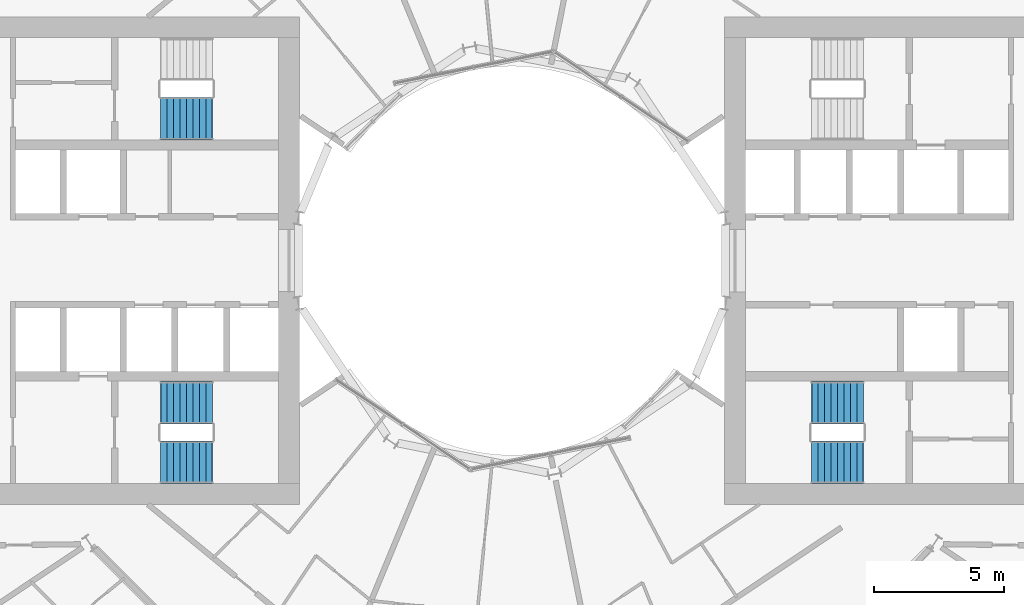
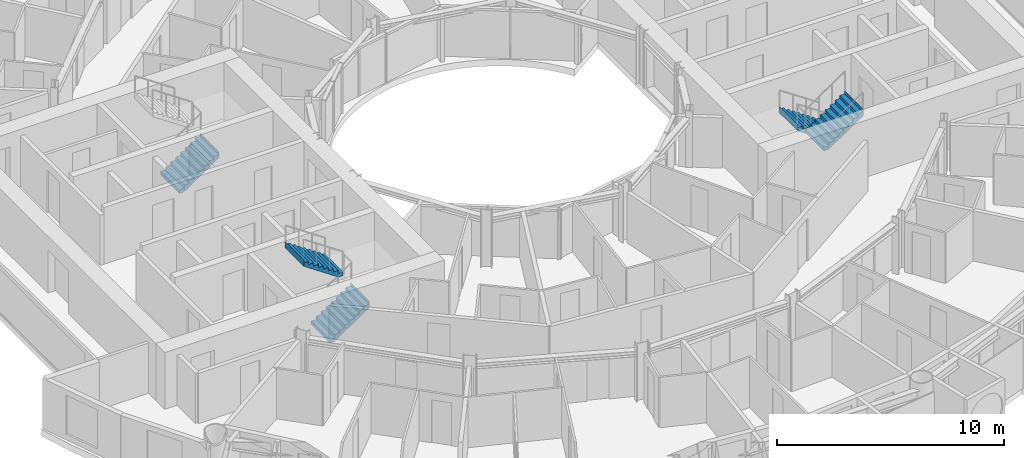
# One storey, part 23 of 26: 5 stair flights, 3 elements without a shape of their own.
"""IFC4 building model written with IfcOpenShell, lengths in metres."""

from ifc_helpers import new_model, si_unit, direction, frame, origin, place, context, subcontext, project, spatial, triangles, material, type_object, element, aggregate, save


model = new_model("IFC4")

# Units and contexts
model_context = context("Model", 3, precision=1e-05, world=origin(), true_north=direction((0.0, 1.0)))
body_context = subcontext(model_context, "Body", "Model", "MODEL_VIEW")
ifc_project = project(units=[si_unit("LENGTHUNIT", "METRE"), si_unit("AREAUNIT", "SQUARE_METRE"), si_unit("VOLUMEUNIT", "CUBIC_METRE"), si_unit("PLANEANGLEUNIT", "RADIAN"), si_unit("MASSUNIT", "GRAM", prefix="KILO")], contexts=[model_context])

# Site, building, storey
site_placement = place(None, origin())
site = spatial("IfcSite", under=ifc_project, at=site_placement, CompositionType="ELEMENT")
building_placement = place(site_placement, origin())
building = spatial("IfcBuilding", under=site, at=building_placement, Name="Maasbend Ring Residences", CompositionType="ELEMENT")
storey_placement = place(building_placement, frame((0.0, 0.0, 22.800048828125)))
storey = spatial("IfcBuildingStorey", under=building, at=storey_placement, Name="L05", CompositionType="ELEMENT", Elevation=22.800048828125)

# Stair, stair flights
ifc_material_1 = material(Name="Concrete C40/50", Category="concrete")
stair_type = type_object("IfcStairType", Name="CORE STAIR 18 RISERS", PredefinedType="HALF_TURN_STAIR", material=ifc_material_1)
stair_1_placement = place(storey_placement, origin())
stair_1 = element("IfcStair", 1, at=stair_1_placement, inside=storey, type_object=stair_type, Name="L05 Exit stair ST-E2", PredefinedType="HALF_TURN_STAIR")
ifc_material_2 = material(Name="Concrete C40/50", Category="concrete")
stair_flight_type = type_object("IfcStairFlightType", Name="CORE STAIR FLIGHT 1650", PredefinedType="STRAIGHT", material=ifc_material_2)
stair_flight_1_placement = place(storey_placement, frame((13.550048828125, -5.47509765625, 0.0), z_axis=(0.0, 0.0, 1.0), x_axis=(-1.0, 0.0, 0.0)))
stair_flight_1 = element("IfcStairFlight", 2, at=stair_flight_1_placement, type_object=stair_flight_type, Name="ST-E2 flight 1", NumberOfRisers=9, NumberOfTreads=8, PredefinedType="STRAIGHT", RiserHeight=0.169444444, TreadLength=0.25, context=body_context, shape_type="Tessellation", body=[
    triangles([(0.24072265625, 0.824951171875, -0.02001953125), (2.0029296875, 0.824951171875, 1.174560546875), (2.0029296875, 0.824951171875, 1.52490234375), (1.989990234375, 0.824951171875, 1.35546875), (1.75, 0.824951171875, 1.35546875), (1.75, 0.824951171875, 1.18603515625), (1.5, 0.824951171875, 1.18603515625), (1.5, 0.824951171875, 1.0166015625), (1.25, 0.824951171875, 1.0166015625), (1.25, 0.824951171875, 0.84716796875), (1.0, 0.824951171875, 0.84716796875), (1.0, 0.824951171875, 0.677734375), (0.75, 0.824951171875, 0.677734375), (0.75, 0.824951171875, 0.50830078125), (0.5, 0.824951171875, 0.50830078125), (0.5, 0.824951171875, 0.3388671875), (0.25, 0.824951171875, 0.3388671875), (0.25, 0.824951171875, 0.16943359375), (0.0, 0.824951171875, 0.16943359375), (0.0, 0.824951171875, 0.0), (-0.0029296875, 0.824951171875, 0.0), (-0.0029296875, 0.824951171875, -0.02001953125), (0.24072265625, 0.27490234375, -0.02001953125), (2.0029296875, 0.27490234375, 1.174560546875), (2.0029296875, 0.27490234375, 1.52490234375), (1.989990234375, 0.27490234375, 1.35546875), (1.75, 0.27490234375, 1.35546875), (1.75, 0.27490234375, 1.18603515625), (1.5, 0.27490234375, 1.18603515625), (1.5, 0.27490234375, 1.0166015625), (1.25, 0.27490234375, 1.0166015625), (1.25, 0.27490234375, 0.84716796875), (1.0, 0.27490234375, 0.84716796875), (1.0, 0.27490234375, 0.677734375), (0.75, 0.27490234375, 0.677734375), (0.75, 0.27490234375, 0.50830078125), (0.5, 0.27490234375, 0.50830078125), (0.5, 0.27490234375, 0.3388671875), (0.25, 0.27490234375, 0.3388671875), (0.25, 0.27490234375, 0.16943359375), (0.0, 0.27490234375, 0.16943359375), (0.0, 0.27490234375, 0.0), (-0.0029296875, 0.27490234375, 0.0), (-0.0029296875, 0.27490234375, -0.02001953125), (0.24072265625, -0.27490234375, -0.02001953125), (2.0029296875, -0.27490234375, 1.174560546875), (2.0029296875, -0.27490234375, 1.52490234375), (1.989990234375, -0.27490234375, 1.35546875), (1.75, -0.27490234375, 1.35546875), (1.75, -0.27490234375, 1.18603515625), (1.5, -0.27490234375, 1.18603515625), (1.5, -0.27490234375, 1.0166015625), (1.25, -0.27490234375, 1.0166015625), (1.25, -0.27490234375, 0.84716796875), (1.0, -0.27490234375, 0.84716796875), (1.0, -0.27490234375, 0.677734375), (0.75, -0.27490234375, 0.677734375), (0.75, -0.27490234375, 0.50830078125), (0.5, -0.27490234375, 0.50830078125), (0.5, -0.27490234375, 0.3388671875), (0.25, -0.27490234375, 0.3388671875), (0.25, -0.27490234375, 0.16943359375), (0.0, -0.27490234375, 0.16943359375), (0.0, -0.27490234375, 0.0), (-0.0029296875, -0.27490234375, 0.0), (-0.0029296875, -0.27490234375, -0.02001953125), (0.24072265625, -0.824951171875, -0.02001953125), (2.0029296875, -0.824951171875, 1.174560546875), (2.0029296875, -0.824951171875, 1.52490234375), (1.989990234375, -0.824951171875, 1.35546875), (1.75, -0.824951171875, 1.35546875), (1.75, -0.824951171875, 1.18603515625), (1.5, -0.824951171875, 1.18603515625), (1.5, -0.824951171875, 1.0166015625), (1.25, -0.824951171875, 1.0166015625), (1.25, -0.824951171875, 0.84716796875), (1.0, -0.824951171875, 0.84716796875), (1.0, -0.824951171875, 0.677734375), (0.75, -0.824951171875, 0.677734375), (0.75, -0.824951171875, 0.50830078125), (0.5, -0.824951171875, 0.50830078125), (0.5, -0.824951171875, 0.3388671875), (0.25, -0.824951171875, 0.3388671875), (0.25, -0.824951171875, 0.16943359375), (0.0, -0.824951171875, 0.16943359375), (0.0, -0.824951171875, 0.0), (-0.0029296875, -0.824951171875, 0.0), (-0.0029296875, -0.824951171875, -0.02001953125)], [[1, 2, 24], [1, 24, 23], [23, 24, 46], [23, 46, 45], [45, 46, 68], [45, 68, 67], [2, 3, 25], [2, 25, 24], [24, 25, 47], [24, 47, 46], [46, 47, 69], [46, 69, 68], [3, 4, 26], [3, 26, 25], [25, 26, 48], [25, 48, 47], [47, 48, 70], [47, 70, 69], [4, 5, 27], [4, 27, 26], [26, 27, 49], [26, 49, 48], [48, 49, 71], [48, 71, 70], [5, 6, 28], [5, 28, 27], [27, 28, 50], [27, 50, 49], [49, 50, 72], [49, 72, 71], [6, 7, 29], [6, 29, 28], [28, 29, 51], [28, 51, 50], [50, 51, 73], [50, 73, 72], [7, 8, 30], [7, 30, 29], [29, 30, 52], [29, 52, 51], [51, 52, 74], [51, 74, 73], [8, 9, 31], [8, 31, 30], [30, 31, 53], [30, 53, 52], [52, 53, 75], [52, 75, 74], [9, 10, 32], [9, 32, 31], [31, 32, 54], [31, 54, 53], [53, 54, 76], [53, 76, 75], [10, 11, 33], [10, 33, 32], [32, 33, 55], [32, 55, 54], [54, 55, 77], [54, 77, 76], [11, 12, 34], [11, 34, 33], [33, 34, 56], [33, 56, 55], [55, 56, 78], [55, 78, 77], [12, 13, 35], [12, 35, 34], [34, 35, 57], [34, 57, 56], [56, 57, 79], [56, 79, 78], [13, 14, 36], [13, 36, 35], [35, 36, 58], [35, 58, 57], [57, 58, 80], [57, 80, 79], [14, 15, 37], [14, 37, 36], [36, 37, 59], [36, 59, 58], [58, 59, 81], [58, 81, 80], [15, 16, 38], [15, 38, 37], [37, 38, 60], [37, 60, 59], [59, 60, 82], [59, 82, 81], [16, 17, 39], [16, 39, 38], [38, 39, 61], [38, 61, 60], [60, 61, 83], [60, 83, 82], [17, 18, 40], [17, 40, 39], [39, 40, 62], [39, 62, 61], [61, 62, 84], [61, 84, 83], [18, 19, 41], [18, 41, 40], [40, 41, 63], [40, 63, 62], [62, 63, 85], [62, 85, 84], [19, 20, 42], [19, 42, 41], [41, 42, 64], [41, 64, 63], [63, 64, 86], [63, 86, 85], [20, 21, 43], [20, 43, 42], [42, 43, 65], [42, 65, 64], [64, 65, 87], [64, 87, 86], [21, 22, 44], [21, 44, 43], [43, 44, 66], [43, 66, 65], [65, 66, 88], [65, 88, 87], [22, 1, 23], [22, 23, 44], [44, 23, 45], [44, 45, 66], [66, 45, 67], [66, 67, 88], [22, 2, 1], [2, 4, 3], [2, 5, 4], [2, 6, 5], [22, 6, 2], [6, 8, 7], [22, 8, 6], [8, 10, 9], [22, 10, 8], [10, 12, 11], [22, 12, 10], [12, 14, 13], [22, 14, 12], [14, 16, 15], [22, 16, 14], [16, 18, 17], [22, 18, 16], [18, 20, 19], [22, 20, 18], [20, 22, 21], [88, 67, 68], [68, 69, 70], [68, 70, 71], [68, 71, 72], [88, 68, 72], [72, 73, 74], [88, 72, 74], [74, 75, 76], [88, 74, 76], [76, 77, 78], [88, 76, 78], [78, 79, 80], [88, 78, 80], [80, 81, 82], [88, 80, 82], [82, 83, 84], [88, 82, 84], [84, 85, 86], [88, 84, 86], [86, 87, 88]], closed=True),
])
stair_flight_2_placement = place(storey_placement, frame((11.550048828125, -7.77490234375, 1.52490234375), z_axis=(0.0, 0.0, 1.0), x_axis=(1.0, 0.0, 0.0)))
stair_flight_2 = element("IfcStairFlight", 3, at=stair_flight_2_placement, type_object=stair_flight_type, Name="ST-E2 flight 2", NumberOfRisers=9, NumberOfTreads=8, PredefinedType="STRAIGHT", RiserHeight=0.169444444, TreadLength=0.25, context=body_context, shape_type="Tessellation", body=[
    triangles([(0.24072265625, 0.824951171875, -0.02001953125), (2.0029296875, 0.824951171875, 1.174560546875), (2.0029296875, 0.824951171875, 1.52490234375), (1.989990234375, 0.824951171875, 1.35546875), (1.75, 0.824951171875, 1.35546875), (1.75, 0.824951171875, 1.18603515625), (1.5, 0.824951171875, 1.18603515625), (1.5, 0.824951171875, 1.0166015625), (1.25, 0.824951171875, 1.0166015625), (1.25, 0.824951171875, 0.84716796875), (1.0, 0.824951171875, 0.84716796875), (1.0, 0.824951171875, 0.677734375), (0.75, 0.824951171875, 0.677734375), (0.75, 0.824951171875, 0.50830078125), (0.5, 0.824951171875, 0.50830078125), (0.5, 0.824951171875, 0.3388671875), (0.25, 0.824951171875, 0.3388671875), (0.25, 0.824951171875, 0.16943359375), (0.0, 0.824951171875, 0.16943359375), (0.0, 0.824951171875, 0.0), (-0.0029296875, 0.824951171875, 0.0), (-0.0029296875, 0.824951171875, -0.02001953125), (0.24072265625, 0.27490234375, -0.02001953125), (2.0029296875, 0.27490234375, 1.174560546875), (2.0029296875, 0.27490234375, 1.52490234375), (1.989990234375, 0.27490234375, 1.35546875), (1.75, 0.27490234375, 1.35546875), (1.75, 0.27490234375, 1.18603515625), (1.5, 0.27490234375, 1.18603515625), (1.5, 0.27490234375, 1.0166015625), (1.25, 0.27490234375, 1.0166015625), (1.25, 0.27490234375, 0.84716796875), (1.0, 0.27490234375, 0.84716796875), (1.0, 0.27490234375, 0.677734375), (0.75, 0.27490234375, 0.677734375), (0.75, 0.27490234375, 0.50830078125), (0.5, 0.27490234375, 0.50830078125), (0.5, 0.27490234375, 0.3388671875), (0.25, 0.27490234375, 0.3388671875), (0.25, 0.27490234375, 0.16943359375), (0.0, 0.27490234375, 0.16943359375), (0.0, 0.27490234375, 0.0), (-0.0029296875, 0.27490234375, 0.0), (-0.0029296875, 0.27490234375, -0.02001953125), (0.24072265625, -0.27490234375, -0.02001953125), (2.0029296875, -0.27490234375, 1.174560546875), (2.0029296875, -0.27490234375, 1.52490234375), (1.989990234375, -0.27490234375, 1.35546875), (1.75, -0.27490234375, 1.35546875), (1.75, -0.27490234375, 1.18603515625), (1.5, -0.27490234375, 1.18603515625), (1.5, -0.27490234375, 1.0166015625), (1.25, -0.27490234375, 1.0166015625), (1.25, -0.27490234375, 0.84716796875), (1.0, -0.27490234375, 0.84716796875), (1.0, -0.27490234375, 0.677734375), (0.75, -0.27490234375, 0.677734375), (0.75, -0.27490234375, 0.50830078125), (0.5, -0.27490234375, 0.50830078125), (0.5, -0.27490234375, 0.3388671875), (0.25, -0.27490234375, 0.3388671875), (0.25, -0.27490234375, 0.16943359375), (0.0, -0.27490234375, 0.16943359375), (0.0, -0.27490234375, 0.0), (-0.0029296875, -0.27490234375, 0.0), (-0.0029296875, -0.27490234375, -0.02001953125), (0.24072265625, -0.824951171875, -0.02001953125), (2.0029296875, -0.824951171875, 1.174560546875), (2.0029296875, -0.824951171875, 1.52490234375), (1.989990234375, -0.824951171875, 1.35546875), (1.75, -0.824951171875, 1.35546875), (1.75, -0.824951171875, 1.18603515625), (1.5, -0.824951171875, 1.18603515625), (1.5, -0.824951171875, 1.0166015625), (1.25, -0.824951171875, 1.0166015625), (1.25, -0.824951171875, 0.84716796875), (1.0, -0.824951171875, 0.84716796875), (1.0, -0.824951171875, 0.677734375), (0.75, -0.824951171875, 0.677734375), (0.75, -0.824951171875, 0.50830078125), (0.5, -0.824951171875, 0.50830078125), (0.5, -0.824951171875, 0.3388671875), (0.25, -0.824951171875, 0.3388671875), (0.25, -0.824951171875, 0.16943359375), (0.0, -0.824951171875, 0.16943359375), (0.0, -0.824951171875, 0.0), (-0.0029296875, -0.824951171875, 0.0), (-0.0029296875, -0.824951171875, -0.02001953125)], [[1, 2, 24], [1, 24, 23], [23, 24, 46], [23, 46, 45], [45, 46, 68], [45, 68, 67], [2, 3, 25], [2, 25, 24], [24, 25, 47], [24, 47, 46], [46, 47, 69], [46, 69, 68], [3, 4, 26], [3, 26, 25], [25, 26, 48], [25, 48, 47], [47, 48, 70], [47, 70, 69], [4, 5, 27], [4, 27, 26], [26, 27, 49], [26, 49, 48], [48, 49, 71], [48, 71, 70], [5, 6, 28], [5, 28, 27], [27, 28, 50], [27, 50, 49], [49, 50, 72], [49, 72, 71], [6, 7, 29], [6, 29, 28], [28, 29, 51], [28, 51, 50], [50, 51, 73], [50, 73, 72], [7, 8, 30], [7, 30, 29], [29, 30, 52], [29, 52, 51], [51, 52, 74], [51, 74, 73], [8, 9, 31], [8, 31, 30], [30, 31, 53], [30, 53, 52], [52, 53, 75], [52, 75, 74], [9, 10, 32], [9, 32, 31], [31, 32, 54], [31, 54, 53], [53, 54, 76], [53, 76, 75], [10, 11, 33], [10, 33, 32], [32, 33, 55], [32, 55, 54], [54, 55, 77], [54, 77, 76], [11, 12, 34], [11, 34, 33], [33, 34, 56], [33, 56, 55], [55, 56, 78], [55, 78, 77], [12, 13, 35], [12, 35, 34], [34, 35, 57], [34, 57, 56], [56, 57, 79], [56, 79, 78], [13, 14, 36], [13, 36, 35], [35, 36, 58], [35, 58, 57], [57, 58, 80], [57, 80, 79], [14, 15, 37], [14, 37, 36], [36, 37, 59], [36, 59, 58], [58, 59, 81], [58, 81, 80], [15, 16, 38], [15, 38, 37], [37, 38, 60], [37, 60, 59], [59, 60, 82], [59, 82, 81], [16, 17, 39], [16, 39, 38], [38, 39, 61], [38, 61, 60], [60, 61, 83], [60, 83, 82], [17, 18, 40], [17, 40, 39], [39, 40, 62], [39, 62, 61], [61, 62, 84], [61, 84, 83], [18, 19, 41], [18, 41, 40], [40, 41, 63], [40, 63, 62], [62, 63, 85], [62, 85, 84], [19, 20, 42], [19, 42, 41], [41, 42, 64], [41, 64, 63], [63, 64, 86], [63, 86, 85], [20, 21, 43], [20, 43, 42], [42, 43, 65], [42, 65, 64], [64, 65, 87], [64, 87, 86], [21, 22, 44], [21, 44, 43], [43, 44, 66], [43, 66, 65], [65, 66, 88], [65, 88, 87], [22, 1, 23], [22, 23, 44], [44, 23, 45], [44, 45, 66], [66, 45, 67], [66, 67, 88], [22, 2, 1], [2, 4, 3], [2, 5, 4], [2, 6, 5], [22, 6, 2], [6, 8, 7], [22, 8, 6], [8, 10, 9], [22, 10, 8], [10, 12, 11], [22, 12, 10], [12, 14, 13], [22, 14, 12], [14, 16, 15], [22, 16, 14], [16, 18, 17], [22, 18, 16], [18, 20, 19], [22, 20, 18], [20, 22, 21], [88, 67, 68], [68, 69, 70], [68, 70, 71], [68, 71, 72], [88, 68, 72], [72, 73, 74], [88, 72, 74], [74, 75, 76], [88, 74, 76], [76, 77, 78], [88, 76, 78], [78, 79, 80], [88, 78, 80], [80, 81, 82], [88, 80, 82], [82, 83, 84], [88, 82, 84], [84, 85, 86], [88, 84, 86], [86, 87, 88]], closed=True),
])
aggregate(stair_1, [stair_flight_1, stair_flight_2])

stair_2_placement = place(storey_placement, origin())
stair_2 = element("IfcStair", 4, at=stair_2_placement, inside=storey, type_object=stair_type, Name="L05 Exit stair ST-W1", PredefinedType="HALF_TURN_STAIR")
stair_flight_3_placement = place(storey_placement, frame((-13.550048828125, -7.77490234375, 0.0), z_axis=(0.0, 0.0, 1.0), x_axis=(1.0, 0.0, 0.0)))
stair_flight_3 = element("IfcStairFlight", 5, at=stair_flight_3_placement, type_object=stair_flight_type, Name="ST-W1 flight 1", NumberOfRisers=9, NumberOfTreads=8, PredefinedType="STRAIGHT", RiserHeight=0.169444444, TreadLength=0.25, context=body_context, shape_type="Tessellation", body=[
    triangles([(0.24072265625, 0.824951171875, -0.02001953125), (2.0029296875, 0.824951171875, 1.174560546875), (2.0029296875, 0.824951171875, 1.52490234375), (1.989990234375, 0.824951171875, 1.35546875), (1.75, 0.824951171875, 1.35546875), (1.75, 0.824951171875, 1.18603515625), (1.5, 0.824951171875, 1.18603515625), (1.5, 0.824951171875, 1.0166015625), (1.25, 0.824951171875, 1.0166015625), (1.25, 0.824951171875, 0.84716796875), (1.0, 0.824951171875, 0.84716796875), (1.0, 0.824951171875, 0.677734375), (0.75, 0.824951171875, 0.677734375), (0.75, 0.824951171875, 0.50830078125), (0.5, 0.824951171875, 0.50830078125), (0.5, 0.824951171875, 0.3388671875), (0.25, 0.824951171875, 0.3388671875), (0.25, 0.824951171875, 0.16943359375), (0.0, 0.824951171875, 0.16943359375), (0.0, 0.824951171875, 0.0), (-0.0029296875, 0.824951171875, 0.0), (-0.0029296875, 0.824951171875, -0.02001953125), (0.24072265625, 0.27490234375, -0.02001953125), (2.0029296875, 0.27490234375, 1.174560546875), (2.0029296875, 0.27490234375, 1.52490234375), (1.989990234375, 0.27490234375, 1.35546875), (1.75, 0.27490234375, 1.35546875), (1.75, 0.27490234375, 1.18603515625), (1.5, 0.27490234375, 1.18603515625), (1.5, 0.27490234375, 1.0166015625), (1.25, 0.27490234375, 1.0166015625), (1.25, 0.27490234375, 0.84716796875), (1.0, 0.27490234375, 0.84716796875), (1.0, 0.27490234375, 0.677734375), (0.75, 0.27490234375, 0.677734375), (0.75, 0.27490234375, 0.50830078125), (0.5, 0.27490234375, 0.50830078125), (0.5, 0.27490234375, 0.3388671875), (0.25, 0.27490234375, 0.3388671875), (0.25, 0.27490234375, 0.16943359375), (0.0, 0.27490234375, 0.16943359375), (0.0, 0.27490234375, 0.0), (-0.0029296875, 0.27490234375, 0.0), (-0.0029296875, 0.27490234375, -0.02001953125), (0.24072265625, -0.27490234375, -0.02001953125), (2.0029296875, -0.27490234375, 1.174560546875), (2.0029296875, -0.27490234375, 1.52490234375), (1.989990234375, -0.27490234375, 1.35546875), (1.75, -0.27490234375, 1.35546875), (1.75, -0.27490234375, 1.18603515625), (1.5, -0.27490234375, 1.18603515625), (1.5, -0.27490234375, 1.0166015625), (1.25, -0.27490234375, 1.0166015625), (1.25, -0.27490234375, 0.84716796875), (1.0, -0.27490234375, 0.84716796875), (1.0, -0.27490234375, 0.677734375), (0.75, -0.27490234375, 0.677734375), (0.75, -0.27490234375, 0.50830078125), (0.5, -0.27490234375, 0.50830078125), (0.5, -0.27490234375, 0.3388671875), (0.25, -0.27490234375, 0.3388671875), (0.25, -0.27490234375, 0.16943359375), (0.0, -0.27490234375, 0.16943359375), (0.0, -0.27490234375, 0.0), (-0.0029296875, -0.27490234375, 0.0), (-0.0029296875, -0.27490234375, -0.02001953125), (0.24072265625, -0.824951171875, -0.02001953125), (2.0029296875, -0.824951171875, 1.174560546875), (2.0029296875, -0.824951171875, 1.52490234375), (1.989990234375, -0.824951171875, 1.35546875), (1.75, -0.824951171875, 1.35546875), (1.75, -0.824951171875, 1.18603515625), (1.5, -0.824951171875, 1.18603515625), (1.5, -0.824951171875, 1.0166015625), (1.25, -0.824951171875, 1.0166015625), (1.25, -0.824951171875, 0.84716796875), (1.0, -0.824951171875, 0.84716796875), (1.0, -0.824951171875, 0.677734375), (0.75, -0.824951171875, 0.677734375), (0.75, -0.824951171875, 0.50830078125), (0.5, -0.824951171875, 0.50830078125), (0.5, -0.824951171875, 0.3388671875), (0.25, -0.824951171875, 0.3388671875), (0.25, -0.824951171875, 0.16943359375), (0.0, -0.824951171875, 0.16943359375), (0.0, -0.824951171875, 0.0), (-0.0029296875, -0.824951171875, 0.0), (-0.0029296875, -0.824951171875, -0.02001953125)], [[1, 2, 24], [1, 24, 23], [23, 24, 46], [23, 46, 45], [45, 46, 68], [45, 68, 67], [2, 3, 25], [2, 25, 24], [24, 25, 47], [24, 47, 46], [46, 47, 69], [46, 69, 68], [3, 4, 26], [3, 26, 25], [25, 26, 48], [25, 48, 47], [47, 48, 70], [47, 70, 69], [4, 5, 27], [4, 27, 26], [26, 27, 49], [26, 49, 48], [48, 49, 71], [48, 71, 70], [5, 6, 28], [5, 28, 27], [27, 28, 50], [27, 50, 49], [49, 50, 72], [49, 72, 71], [6, 7, 29], [6, 29, 28], [28, 29, 51], [28, 51, 50], [50, 51, 73], [50, 73, 72], [7, 8, 30], [7, 30, 29], [29, 30, 52], [29, 52, 51], [51, 52, 74], [51, 74, 73], [8, 9, 31], [8, 31, 30], [30, 31, 53], [30, 53, 52], [52, 53, 75], [52, 75, 74], [9, 10, 32], [9, 32, 31], [31, 32, 54], [31, 54, 53], [53, 54, 76], [53, 76, 75], [10, 11, 33], [10, 33, 32], [32, 33, 55], [32, 55, 54], [54, 55, 77], [54, 77, 76], [11, 12, 34], [11, 34, 33], [33, 34, 56], [33, 56, 55], [55, 56, 78], [55, 78, 77], [12, 13, 35], [12, 35, 34], [34, 35, 57], [34, 57, 56], [56, 57, 79], [56, 79, 78], [13, 14, 36], [13, 36, 35], [35, 36, 58], [35, 58, 57], [57, 58, 80], [57, 80, 79], [14, 15, 37], [14, 37, 36], [36, 37, 59], [36, 59, 58], [58, 59, 81], [58, 81, 80], [15, 16, 38], [15, 38, 37], [37, 38, 60], [37, 60, 59], [59, 60, 82], [59, 82, 81], [16, 17, 39], [16, 39, 38], [38, 39, 61], [38, 61, 60], [60, 61, 83], [60, 83, 82], [17, 18, 40], [17, 40, 39], [39, 40, 62], [39, 62, 61], [61, 62, 84], [61, 84, 83], [18, 19, 41], [18, 41, 40], [40, 41, 63], [40, 63, 62], [62, 63, 85], [62, 85, 84], [19, 20, 42], [19, 42, 41], [41, 42, 64], [41, 64, 63], [63, 64, 86], [63, 86, 85], [20, 21, 43], [20, 43, 42], [42, 43, 65], [42, 65, 64], [64, 65, 87], [64, 87, 86], [21, 22, 44], [21, 44, 43], [43, 44, 66], [43, 66, 65], [65, 66, 88], [65, 88, 87], [22, 1, 23], [22, 23, 44], [44, 23, 45], [44, 45, 66], [66, 45, 67], [66, 67, 88], [22, 2, 1], [2, 4, 3], [2, 5, 4], [2, 6, 5], [22, 6, 2], [6, 8, 7], [22, 8, 6], [8, 10, 9], [22, 10, 8], [10, 12, 11], [22, 12, 10], [12, 14, 13], [22, 14, 12], [14, 16, 15], [22, 16, 14], [16, 18, 17], [22, 18, 16], [18, 20, 19], [22, 20, 18], [20, 22, 21], [88, 67, 68], [68, 69, 70], [68, 70, 71], [68, 71, 72], [88, 68, 72], [72, 73, 74], [88, 72, 74], [74, 75, 76], [88, 74, 76], [76, 77, 78], [88, 76, 78], [78, 79, 80], [88, 78, 80], [80, 81, 82], [88, 80, 82], [82, 83, 84], [88, 82, 84], [84, 85, 86], [88, 84, 86], [86, 87, 88]], closed=True),
])
stair_flight_4_placement = place(storey_placement, frame((-11.550048828125, -5.47509765625, 1.52490234375), z_axis=(0.0, 0.0, 1.0), x_axis=(-1.0, 0.0, 0.0)))
stair_flight_4 = element("IfcStairFlight", 6, at=stair_flight_4_placement, type_object=stair_flight_type, Name="ST-W1 flight 2", NumberOfRisers=9, NumberOfTreads=8, PredefinedType="STRAIGHT", RiserHeight=0.169444444, TreadLength=0.25, context=body_context, shape_type="Tessellation", body=[
    triangles([(0.24072265625, 0.824951171875, -0.02001953125), (2.0029296875, 0.824951171875, 1.174560546875), (2.0029296875, 0.824951171875, 1.52490234375), (1.989990234375, 0.824951171875, 1.35546875), (1.75, 0.824951171875, 1.35546875), (1.75, 0.824951171875, 1.18603515625), (1.5, 0.824951171875, 1.18603515625), (1.5, 0.824951171875, 1.0166015625), (1.25, 0.824951171875, 1.0166015625), (1.25, 0.824951171875, 0.84716796875), (1.0, 0.824951171875, 0.84716796875), (1.0, 0.824951171875, 0.677734375), (0.75, 0.824951171875, 0.677734375), (0.75, 0.824951171875, 0.50830078125), (0.5, 0.824951171875, 0.50830078125), (0.5, 0.824951171875, 0.3388671875), (0.25, 0.824951171875, 0.3388671875), (0.25, 0.824951171875, 0.16943359375), (0.0, 0.824951171875, 0.16943359375), (0.0, 0.824951171875, 0.0), (-0.0029296875, 0.824951171875, 0.0), (-0.0029296875, 0.824951171875, -0.02001953125), (0.24072265625, 0.27490234375, -0.02001953125), (2.0029296875, 0.27490234375, 1.174560546875), (2.0029296875, 0.27490234375, 1.52490234375), (1.989990234375, 0.27490234375, 1.35546875), (1.75, 0.27490234375, 1.35546875), (1.75, 0.27490234375, 1.18603515625), (1.5, 0.27490234375, 1.18603515625), (1.5, 0.27490234375, 1.0166015625), (1.25, 0.27490234375, 1.0166015625), (1.25, 0.27490234375, 0.84716796875), (1.0, 0.27490234375, 0.84716796875), (1.0, 0.27490234375, 0.677734375), (0.75, 0.27490234375, 0.677734375), (0.75, 0.27490234375, 0.50830078125), (0.5, 0.27490234375, 0.50830078125), (0.5, 0.27490234375, 0.3388671875), (0.25, 0.27490234375, 0.3388671875), (0.25, 0.27490234375, 0.16943359375), (0.0, 0.27490234375, 0.16943359375), (0.0, 0.27490234375, 0.0), (-0.0029296875, 0.27490234375, 0.0), (-0.0029296875, 0.27490234375, -0.02001953125), (0.24072265625, -0.27490234375, -0.02001953125), (2.0029296875, -0.27490234375, 1.174560546875), (2.0029296875, -0.27490234375, 1.52490234375), (1.989990234375, -0.27490234375, 1.35546875), (1.75, -0.27490234375, 1.35546875), (1.75, -0.27490234375, 1.18603515625), (1.5, -0.27490234375, 1.18603515625), (1.5, -0.27490234375, 1.0166015625), (1.25, -0.27490234375, 1.0166015625), (1.25, -0.27490234375, 0.84716796875), (1.0, -0.27490234375, 0.84716796875), (1.0, -0.27490234375, 0.677734375), (0.75, -0.27490234375, 0.677734375), (0.75, -0.27490234375, 0.50830078125), (0.5, -0.27490234375, 0.50830078125), (0.5, -0.27490234375, 0.3388671875), (0.25, -0.27490234375, 0.3388671875), (0.25, -0.27490234375, 0.16943359375), (0.0, -0.27490234375, 0.16943359375), (0.0, -0.27490234375, 0.0), (-0.0029296875, -0.27490234375, 0.0), (-0.0029296875, -0.27490234375, -0.02001953125), (0.24072265625, -0.824951171875, -0.02001953125), (2.0029296875, -0.824951171875, 1.174560546875), (2.0029296875, -0.824951171875, 1.52490234375), (1.989990234375, -0.824951171875, 1.35546875), (1.75, -0.824951171875, 1.35546875), (1.75, -0.824951171875, 1.18603515625), (1.5, -0.824951171875, 1.18603515625), (1.5, -0.824951171875, 1.0166015625), (1.25, -0.824951171875, 1.0166015625), (1.25, -0.824951171875, 0.84716796875), (1.0, -0.824951171875, 0.84716796875), (1.0, -0.824951171875, 0.677734375), (0.75, -0.824951171875, 0.677734375), (0.75, -0.824951171875, 0.50830078125), (0.5, -0.824951171875, 0.50830078125), (0.5, -0.824951171875, 0.3388671875), (0.25, -0.824951171875, 0.3388671875), (0.25, -0.824951171875, 0.16943359375), (0.0, -0.824951171875, 0.16943359375), (0.0, -0.824951171875, 0.0), (-0.0029296875, -0.824951171875, 0.0), (-0.0029296875, -0.824951171875, -0.02001953125)], [[1, 2, 24], [1, 24, 23], [23, 24, 46], [23, 46, 45], [45, 46, 68], [45, 68, 67], [2, 3, 25], [2, 25, 24], [24, 25, 47], [24, 47, 46], [46, 47, 69], [46, 69, 68], [3, 4, 26], [3, 26, 25], [25, 26, 48], [25, 48, 47], [47, 48, 70], [47, 70, 69], [4, 5, 27], [4, 27, 26], [26, 27, 49], [26, 49, 48], [48, 49, 71], [48, 71, 70], [5, 6, 28], [5, 28, 27], [27, 28, 50], [27, 50, 49], [49, 50, 72], [49, 72, 71], [6, 7, 29], [6, 29, 28], [28, 29, 51], [28, 51, 50], [50, 51, 73], [50, 73, 72], [7, 8, 30], [7, 30, 29], [29, 30, 52], [29, 52, 51], [51, 52, 74], [51, 74, 73], [8, 9, 31], [8, 31, 30], [30, 31, 53], [30, 53, 52], [52, 53, 75], [52, 75, 74], [9, 10, 32], [9, 32, 31], [31, 32, 54], [31, 54, 53], [53, 54, 76], [53, 76, 75], [10, 11, 33], [10, 33, 32], [32, 33, 55], [32, 55, 54], [54, 55, 77], [54, 77, 76], [11, 12, 34], [11, 34, 33], [33, 34, 56], [33, 56, 55], [55, 56, 78], [55, 78, 77], [12, 13, 35], [12, 35, 34], [34, 35, 57], [34, 57, 56], [56, 57, 79], [56, 79, 78], [13, 14, 36], [13, 36, 35], [35, 36, 58], [35, 58, 57], [57, 58, 80], [57, 80, 79], [14, 15, 37], [14, 37, 36], [36, 37, 59], [36, 59, 58], [58, 59, 81], [58, 81, 80], [15, 16, 38], [15, 38, 37], [37, 38, 60], [37, 60, 59], [59, 60, 82], [59, 82, 81], [16, 17, 39], [16, 39, 38], [38, 39, 61], [38, 61, 60], [60, 61, 83], [60, 83, 82], [17, 18, 40], [17, 40, 39], [39, 40, 62], [39, 62, 61], [61, 62, 84], [61, 84, 83], [18, 19, 41], [18, 41, 40], [40, 41, 63], [40, 63, 62], [62, 63, 85], [62, 85, 84], [19, 20, 42], [19, 42, 41], [41, 42, 64], [41, 64, 63], [63, 64, 86], [63, 86, 85], [20, 21, 43], [20, 43, 42], [42, 43, 65], [42, 65, 64], [64, 65, 87], [64, 87, 86], [21, 22, 44], [21, 44, 43], [43, 44, 66], [43, 66, 65], [65, 66, 88], [65, 88, 87], [22, 1, 23], [22, 23, 44], [44, 23, 45], [44, 45, 66], [66, 45, 67], [66, 67, 88], [22, 2, 1], [2, 4, 3], [2, 5, 4], [2, 6, 5], [22, 6, 2], [6, 8, 7], [22, 8, 6], [8, 10, 9], [22, 10, 8], [10, 12, 11], [22, 12, 10], [12, 14, 13], [22, 14, 12], [14, 16, 15], [22, 16, 14], [16, 18, 17], [22, 18, 16], [18, 20, 19], [22, 20, 18], [20, 22, 21], [88, 67, 68], [68, 69, 70], [68, 70, 71], [68, 71, 72], [88, 68, 72], [72, 73, 74], [88, 72, 74], [74, 75, 76], [88, 74, 76], [76, 77, 78], [88, 76, 78], [78, 79, 80], [88, 78, 80], [80, 81, 82], [88, 80, 82], [82, 83, 84], [88, 82, 84], [84, 85, 86], [88, 84, 86], [86, 87, 88]], closed=True),
])
aggregate(stair_2, [stair_flight_3, stair_flight_4])

# Stair, stair flight
stair_3_placement = place(storey_placement, origin())
stair_3 = element("IfcStair", 7, at=stair_3_placement, inside=storey, type_object=stair_type, Name="L05 Exit stair ST-W2", PredefinedType="HALF_TURN_STAIR")
stair_flight_5_placement = place(storey_placement, frame((-13.550048828125, 5.47509765625, 0.0), z_axis=(0.0, 0.0, 1.0), x_axis=(1.0, 0.0, 0.0)))
stair_flight_5 = element("IfcStairFlight", 8, at=stair_flight_5_placement, type_object=stair_flight_type, Name="ST-W2 flight 1", NumberOfRisers=9, NumberOfTreads=8, PredefinedType="STRAIGHT", RiserHeight=0.169444444, TreadLength=0.25, context=body_context, shape_type="Tessellation", body=[
    triangles([(0.24072265625, 0.824951171875, -0.02001953125), (2.0029296875, 0.824951171875, 1.174560546875), (2.0029296875, 0.824951171875, 1.52490234375), (1.989990234375, 0.824951171875, 1.35546875), (1.75, 0.824951171875, 1.35546875), (1.75, 0.824951171875, 1.18603515625), (1.5, 0.824951171875, 1.18603515625), (1.5, 0.824951171875, 1.0166015625), (1.25, 0.824951171875, 1.0166015625), (1.25, 0.824951171875, 0.84716796875), (1.0, 0.824951171875, 0.84716796875), (1.0, 0.824951171875, 0.677734375), (0.75, 0.824951171875, 0.677734375), (0.75, 0.824951171875, 0.50830078125), (0.5, 0.824951171875, 0.50830078125), (0.5, 0.824951171875, 0.3388671875), (0.25, 0.824951171875, 0.3388671875), (0.25, 0.824951171875, 0.16943359375), (0.0, 0.824951171875, 0.16943359375), (0.0, 0.824951171875, 0.0), (-0.0029296875, 0.824951171875, 0.0), (-0.0029296875, 0.824951171875, -0.02001953125), (0.24072265625, 0.27490234375, -0.02001953125), (2.0029296875, 0.27490234375, 1.174560546875), (2.0029296875, 0.27490234375, 1.52490234375), (1.989990234375, 0.27490234375, 1.35546875), (1.75, 0.27490234375, 1.35546875), (1.75, 0.27490234375, 1.18603515625), (1.5, 0.27490234375, 1.18603515625), (1.5, 0.27490234375, 1.0166015625), (1.25, 0.27490234375, 1.0166015625), (1.25, 0.27490234375, 0.84716796875), (1.0, 0.27490234375, 0.84716796875), (1.0, 0.27490234375, 0.677734375), (0.75, 0.27490234375, 0.677734375), (0.75, 0.27490234375, 0.50830078125), (0.5, 0.27490234375, 0.50830078125), (0.5, 0.27490234375, 0.3388671875), (0.25, 0.27490234375, 0.3388671875), (0.25, 0.27490234375, 0.16943359375), (0.0, 0.27490234375, 0.16943359375), (0.0, 0.27490234375, 0.0), (-0.0029296875, 0.27490234375, 0.0), (-0.0029296875, 0.27490234375, -0.02001953125), (0.24072265625, -0.27490234375, -0.02001953125), (2.0029296875, -0.27490234375, 1.174560546875), (2.0029296875, -0.27490234375, 1.52490234375), (1.989990234375, -0.27490234375, 1.35546875), (1.75, -0.27490234375, 1.35546875), (1.75, -0.27490234375, 1.18603515625), (1.5, -0.27490234375, 1.18603515625), (1.5, -0.27490234375, 1.0166015625), (1.25, -0.27490234375, 1.0166015625), (1.25, -0.27490234375, 0.84716796875), (1.0, -0.27490234375, 0.84716796875), (1.0, -0.27490234375, 0.677734375), (0.75, -0.27490234375, 0.677734375), (0.75, -0.27490234375, 0.50830078125), (0.5, -0.27490234375, 0.50830078125), (0.5, -0.27490234375, 0.3388671875), (0.25, -0.27490234375, 0.3388671875), (0.25, -0.27490234375, 0.16943359375), (0.0, -0.27490234375, 0.16943359375), (0.0, -0.27490234375, 0.0), (-0.0029296875, -0.27490234375, 0.0), (-0.0029296875, -0.27490234375, -0.02001953125), (0.24072265625, -0.824951171875, -0.02001953125), (2.0029296875, -0.824951171875, 1.174560546875), (2.0029296875, -0.824951171875, 1.52490234375), (1.989990234375, -0.824951171875, 1.35546875), (1.75, -0.824951171875, 1.35546875), (1.75, -0.824951171875, 1.18603515625), (1.5, -0.824951171875, 1.18603515625), (1.5, -0.824951171875, 1.0166015625), (1.25, -0.824951171875, 1.0166015625), (1.25, -0.824951171875, 0.84716796875), (1.0, -0.824951171875, 0.84716796875), (1.0, -0.824951171875, 0.677734375), (0.75, -0.824951171875, 0.677734375), (0.75, -0.824951171875, 0.50830078125), (0.5, -0.824951171875, 0.50830078125), (0.5, -0.824951171875, 0.3388671875), (0.25, -0.824951171875, 0.3388671875), (0.25, -0.824951171875, 0.16943359375), (0.0, -0.824951171875, 0.16943359375), (0.0, -0.824951171875, 0.0), (-0.0029296875, -0.824951171875, 0.0), (-0.0029296875, -0.824951171875, -0.02001953125)], [[1, 2, 24], [1, 24, 23], [23, 24, 46], [23, 46, 45], [45, 46, 68], [45, 68, 67], [2, 3, 25], [2, 25, 24], [24, 25, 47], [24, 47, 46], [46, 47, 69], [46, 69, 68], [3, 4, 26], [3, 26, 25], [25, 26, 48], [25, 48, 47], [47, 48, 70], [47, 70, 69], [4, 5, 27], [4, 27, 26], [26, 27, 49], [26, 49, 48], [48, 49, 71], [48, 71, 70], [5, 6, 28], [5, 28, 27], [27, 28, 50], [27, 50, 49], [49, 50, 72], [49, 72, 71], [6, 7, 29], [6, 29, 28], [28, 29, 51], [28, 51, 50], [50, 51, 73], [50, 73, 72], [7, 8, 30], [7, 30, 29], [29, 30, 52], [29, 52, 51], [51, 52, 74], [51, 74, 73], [8, 9, 31], [8, 31, 30], [30, 31, 53], [30, 53, 52], [52, 53, 75], [52, 75, 74], [9, 10, 32], [9, 32, 31], [31, 32, 54], [31, 54, 53], [53, 54, 76], [53, 76, 75], [10, 11, 33], [10, 33, 32], [32, 33, 55], [32, 55, 54], [54, 55, 77], [54, 77, 76], [11, 12, 34], [11, 34, 33], [33, 34, 56], [33, 56, 55], [55, 56, 78], [55, 78, 77], [12, 13, 35], [12, 35, 34], [34, 35, 57], [34, 57, 56], [56, 57, 79], [56, 79, 78], [13, 14, 36], [13, 36, 35], [35, 36, 58], [35, 58, 57], [57, 58, 80], [57, 80, 79], [14, 15, 37], [14, 37, 36], [36, 37, 59], [36, 59, 58], [58, 59, 81], [58, 81, 80], [15, 16, 38], [15, 38, 37], [37, 38, 60], [37, 60, 59], [59, 60, 82], [59, 82, 81], [16, 17, 39], [16, 39, 38], [38, 39, 61], [38, 61, 60], [60, 61, 83], [60, 83, 82], [17, 18, 40], [17, 40, 39], [39, 40, 62], [39, 62, 61], [61, 62, 84], [61, 84, 83], [18, 19, 41], [18, 41, 40], [40, 41, 63], [40, 63, 62], [62, 63, 85], [62, 85, 84], [19, 20, 42], [19, 42, 41], [41, 42, 64], [41, 64, 63], [63, 64, 86], [63, 86, 85], [20, 21, 43], [20, 43, 42], [42, 43, 65], [42, 65, 64], [64, 65, 87], [64, 87, 86], [21, 22, 44], [21, 44, 43], [43, 44, 66], [43, 66, 65], [65, 66, 88], [65, 88, 87], [22, 1, 23], [22, 23, 44], [44, 23, 45], [44, 45, 66], [66, 45, 67], [66, 67, 88], [22, 2, 1], [2, 4, 3], [2, 5, 4], [2, 6, 5], [22, 6, 2], [6, 8, 7], [22, 8, 6], [8, 10, 9], [22, 10, 8], [10, 12, 11], [22, 12, 10], [12, 14, 13], [22, 14, 12], [14, 16, 15], [22, 16, 14], [16, 18, 17], [22, 18, 16], [18, 20, 19], [22, 20, 18], [20, 22, 21], [88, 67, 68], [68, 69, 70], [68, 70, 71], [68, 71, 72], [88, 68, 72], [72, 73, 74], [88, 72, 74], [74, 75, 76], [88, 74, 76], [76, 77, 78], [88, 76, 78], [78, 79, 80], [88, 78, 80], [80, 81, 82], [88, 80, 82], [82, 83, 84], [88, 82, 84], [84, 85, 86], [88, 84, 86], [86, 87, 88]], closed=True),
])
aggregate(stair_3, [stair_flight_5])

save(model, "model.ifc")
